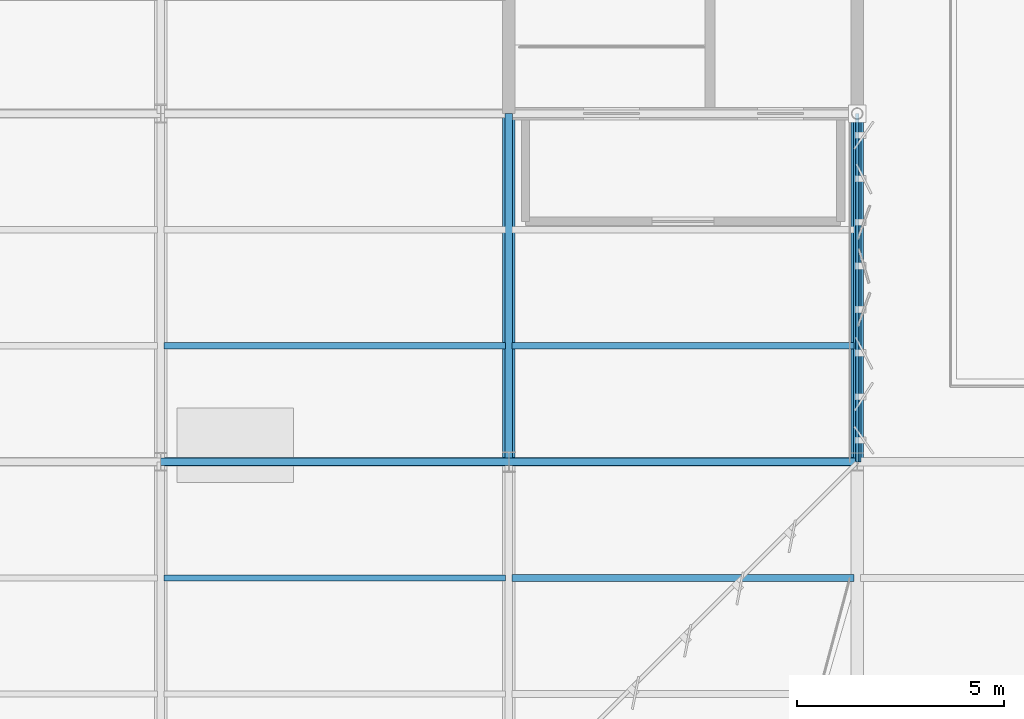
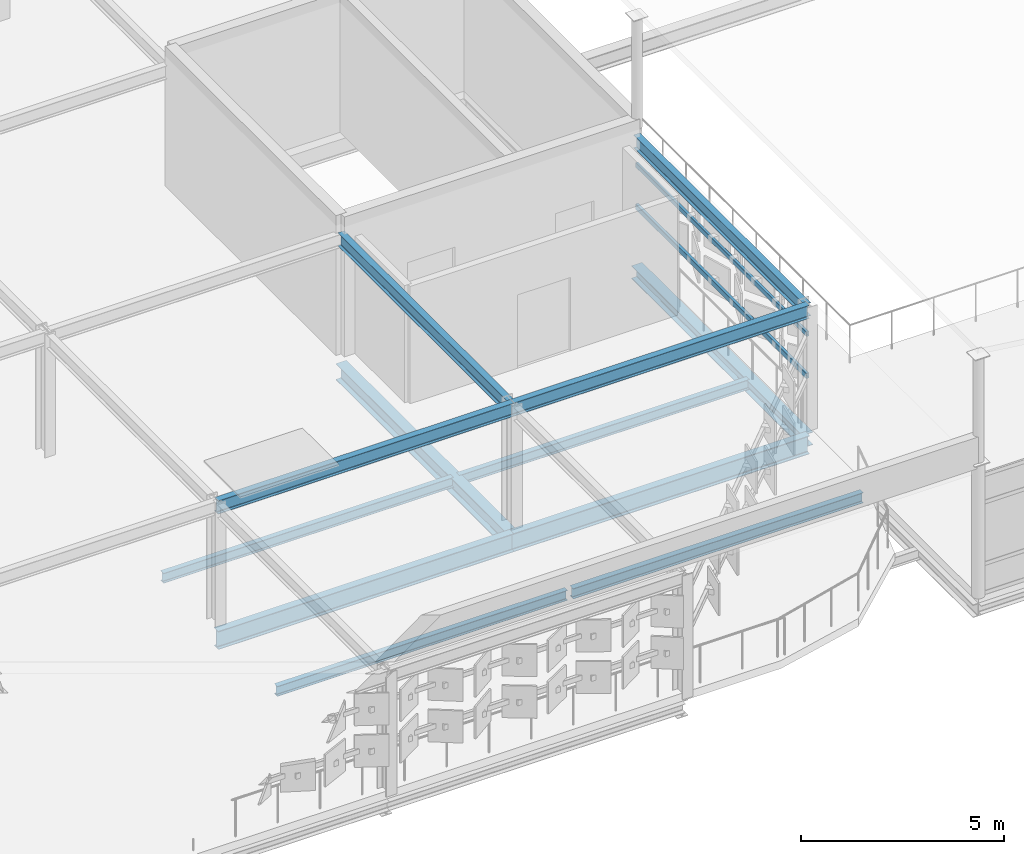
# One storey, part 35 of 65: 14 beams.
"""IFC4 building model written with IfcOpenShell, lengths in metres."""

from ifc_helpers import new_model, si_unit, direction, frame, origin, origin_2d, place, context, subcontext, project, spatial, hollow_rectangle, i_section, extrude, material, material_profile, profile_set, type_object, element, save


model = new_model("IFC4")

# Units and contexts
model_context = context("Model", 3, precision=1e-05, world=origin(), true_north=direction((0.0, 1.0)))
body_context = subcontext(model_context, "Body", "Model", "MODEL_VIEW")
ifc_project = project(units=[si_unit("LENGTHUNIT", "METRE"), si_unit("AREAUNIT", "SQUARE_METRE"), si_unit("VOLUMEUNIT", "CUBIC_METRE"), si_unit("PLANEANGLEUNIT", "RADIAN"), si_unit("MASSUNIT", "GRAM", prefix="KILO")], contexts=[model_context])

# Site, building, storey
site_placement = place(None, origin())
site = spatial("IfcSite", under=ifc_project, at=site_placement, CompositionType="ELEMENT")
building_placement = place(site_placement, origin())
building = spatial("IfcBuilding", under=site, at=building_placement, Name="Qalvenar Corner Mobility Hub", CompositionType="ELEMENT")
storey_placement = place(building_placement, frame((0.0, 0.0, 17.39990234375)))
storey = spatial("IfcBuildingStorey", under=building, at=storey_placement, Name="L04", CompositionType="ELEMENT", Elevation=17.39990234375)

# Beams
ifc_material = material(Name="Steel S355", Category="steel")
ifc_material_profile_1 = material_profile(ifc_material, i_section(OverallWidth=0.300048828125, OverallDepth=0.489990234375, WebThickness=0.011962890625, FlangeThickness=0.02294921875, FilletRadius=0.027099609375, at=origin_2d()), Name="HEA500")
ifc_profile_set_1 = profile_set([ifc_material_profile_1], Name="Steel S355")
beam_type_1 = type_object("IfcBeamType", Name="BM-HEA500", PredefinedType="BEAM", material=ifc_profile_set_1)
beam_1_placement = place(storey_placement, frame((134.39990234375, 75.60009765625, -0.48486328125), z_axis=(0.0, 1.0, 0.0), x_axis=(-1.0, 0.0, 0.0)))
element("IfcBeam", 1, at=beam_1_placement, inside=storey, type_object=beam_type_1, Name="Primary Steel Girder GY-2809", PredefinedType="BEAM", context=body_context, shape_type="SweptSolid", body=[
    extrude(i_section(OverallWidth=0.300048828125, OverallDepth=0.489990234375, WebThickness=0.011962890625, FlangeThickness=0.02294921875, FilletRadius=0.027099609375, at=origin_2d()), origin(), (0.0, 0.0, 1.0), 8.39990234375),
])
ifc_material_profile_2 = material_profile(ifc_material, i_section(OverallWidth=0.179931640625, OverallDepth=0.39990234375, WebThickness=0.008544921875, FlangeThickness=0.013427734375, FilletRadius=0.02099609375, at=origin_2d()), Name="IPE400")
ifc_profile_set_2 = profile_set([ifc_material_profile_2], Name="Steel S355")
beam_type_2 = type_object("IfcBeamType", Name="BM-IPE400", PredefinedType="BEAM", material=ifc_profile_set_2)
for number, where, z_axis, x_axis, name in (
    (2, (134.39990234375, 75.60009765625, 3.47021484375), (0.0, 1.0, 0.0), (-1.0, 0.0, 0.0), "EV Roof Girder V4RF-Y-134-75"),
    (3, (142.800048828125, 75.60009765625, 3.47021484375), (0.0, 1.0, 0.0), (-1.0, 0.0, 0.0), "EV Roof Girder V4RF-Y-142-75"),
    (4, (126.0, 75.60009765625, 3.47021484375), (1.0, 0.0, 0.0), (0.0, 1.0, 0.0), "EV Roof Girder V4RF-X-126-75"),
):
    element("IfcBeam", number, at=place(storey_placement, frame(where, z_axis=z_axis, x_axis=x_axis)), inside=storey, type_object=beam_type_2, Name=name, PredefinedType="BEAM", context=body_context, shape_type="SweptSolid", body=[
        extrude(i_section(OverallWidth=0.179931640625, OverallDepth=0.39990234375, WebThickness=0.008544921875, FlangeThickness=0.013427734375, FilletRadius=0.02099609375, at=origin_2d()), origin(), (0.0, 0.0, 1.0), 8.39990234375),
    ])
beam_2_placement = place(storey_placement, frame((134.39990234375, 75.60009765625, 3.47021484375), z_axis=(1.0, 0.0, 0.0), x_axis=(0.0, 1.0, 0.0)))
element("IfcBeam", 5, at=beam_2_placement, inside=storey, type_object=beam_type_2, Name="EV Roof Girder V4RF-X-134-75", PredefinedType="BEAM", context=body_context, shape_type="SweptSolid", body=[
    extrude(i_section(OverallWidth=0.179931640625, OverallDepth=0.39990234375, WebThickness=0.008544921875, FlangeThickness=0.013427734375, FilletRadius=0.02099609375, at=origin_2d()), origin(), (0.0, 0.0, 1.0), 8.400146484375),
])
ifc_material_profile_3 = material_profile(ifc_material, i_section(OverallWidth=0.2099609375, OverallDepth=0.550048828125, WebThickness=0.010986328125, FlangeThickness=0.01708984375, FilletRadius=0.02392578125, at=origin_2d()), Name="IPE550")
ifc_profile_set_3 = profile_set([ifc_material_profile_3], Name="Steel S355")
beam_type_3 = type_object("IfcBeamType", Name="BM-IPE550", PredefinedType="BEAM", material=ifc_profile_set_3)
beam_3_placement = place(storey_placement, frame((126.0, 75.60009765625, -0.514892578125), z_axis=(1.0, 0.0, 0.0), x_axis=(0.0, 1.0, 0.0)))
element("IfcBeam", 6, at=beam_3_placement, inside=storey, type_object=beam_type_3, Name="Primary Steel Girder GX-2735", PredefinedType="BEAM", context=body_context, shape_type="SweptSolid", body=[
    extrude(i_section(OverallWidth=0.2099609375, OverallDepth=0.550048828125, WebThickness=0.010986328125, FlangeThickness=0.01708984375, FilletRadius=0.02392578125, at=origin_2d()), origin(), (0.0, 0.0, 1.0), 8.39990234375),
])
beam_4_placement = place(storey_placement, frame((134.39990234375, 75.60009765625, -0.514892578125), z_axis=(1.0, 0.0, 0.0), x_axis=(0.0, 1.0, 0.0)))
element("IfcBeam", 7, at=beam_4_placement, inside=storey, type_object=beam_type_3, Name="Primary Steel Girder GX-2736", PredefinedType="BEAM", context=body_context, shape_type="SweptSolid", body=[
    extrude(i_section(OverallWidth=0.2099609375, OverallDepth=0.550048828125, WebThickness=0.010986328125, FlangeThickness=0.01708984375, FilletRadius=0.02392578125, at=origin_2d()), origin(), (0.0, 0.0, 1.0), 8.400146484375),
])
ifc_material_profile_4 = material_profile(ifc_material, i_section(OverallWidth=0.14990234375, OverallDepth=0.300048828125, WebThickness=0.007080078125, FlangeThickness=0.0107421875, FilletRadius=0.014892578125, at=origin_2d()), Name="IPE300")
ifc_profile_set_4 = profile_set([ifc_material_profile_4], Name="Steel S355")
beam_type_4 = type_object("IfcBeamType", Name="BM-JST300", PredefinedType="JOIST", material=ifc_profile_set_4)
for number, where, z_axis, x_axis, name in (
    (8, (126.077880859375, 72.800048828125, -0.389892578125), (1.0, 0.0, 0.0), (0.0, 1.0, 0.0), "Composite Floor Joist J-2875"),
    (9, (126.077880859375, 78.39990234375, -0.389892578125), (1.0, 0.0, 0.0), (0.0, 1.0, 0.0), "Composite Floor Joist J-2876"),
):
    element("IfcBeam", number, at=place(storey_placement, frame(where, z_axis=z_axis, x_axis=x_axis)), inside=storey, type_object=beam_type_4, Name=name, PredefinedType="JOIST", context=body_context, shape_type="SweptSolid", body=[
        extrude(i_section(OverallWidth=0.14990234375, OverallDepth=0.300048828125, WebThickness=0.007080078125, FlangeThickness=0.0107421875, FilletRadius=0.014892578125, at=origin_2d()), origin(), (0.0, 0.0, 1.0), 8.244140625),
    ])
beam_5_placement = place(storey_placement, frame((134.47802734375, 78.39990234375, -0.389892578125), z_axis=(1.0, 0.0, 0.0), x_axis=(0.0, 1.0, 0.0)))
element("IfcBeam", 10, at=beam_5_placement, inside=storey, type_object=beam_type_4, Name="Composite Floor Joist J-2884", PredefinedType="JOIST", context=body_context, shape_type="SweptSolid", body=[
    extrude(i_section(OverallWidth=0.14990234375, OverallDepth=0.300048828125, WebThickness=0.007080078125, FlangeThickness=0.0107421875, FilletRadius=0.014892578125, at=origin_2d()), origin(), (0.0, 0.0, 1.0), 8.243896484375),
])
ifc_material_profile_5 = material_profile(ifc_material, i_section(OverallWidth=0.1650390625, OverallDepth=0.31005859375, WebThickness=0.005859375, FlangeThickness=0.009765625, FilletRadius=0.011962890625, at=origin_2d()), Name="W310x38.7")
ifc_profile_set_5 = profile_set([ifc_material_profile_5], Name="Steel S355")
beam_type_5 = type_object("IfcBeamType", Name="BM-JST310", PredefinedType="JOIST", material=ifc_profile_set_5)
beam_6_placement = place(storey_placement, frame((134.47802734375, 72.800048828125, -0.39501953125), z_axis=(1.0, 0.0, 0.0), x_axis=(0.0, 1.0, 0.0)))
element("IfcBeam", 11, at=beam_6_placement, inside=storey, type_object=beam_type_5, Name="Composite Floor Joist J-2922", PredefinedType="JOIST", context=body_context, shape_type="SweptSolid", body=[
    extrude(i_section(OverallWidth=0.1650390625, OverallDepth=0.31005859375, WebThickness=0.005859375, FlangeThickness=0.009765625, FilletRadius=0.011962890625, at=origin_2d()), origin(), (0.0, 0.0, 1.0), 8.243896484375),
])
ifc_material_profile_6 = material_profile(ifc_material, i_section(OverallWidth=0.300048828125, OverallDepth=0.389892578125, WebThickness=0.010986328125, FlangeThickness=0.01904296875, FilletRadius=0.027099609375, at=origin_2d()), Name="HEA400")
ifc_profile_set_6 = profile_set([ifc_material_profile_6], Name="Steel S355")
beam_type_6 = type_object("IfcBeamType", Name="BM-SPN400", PredefinedType="SPANDREL", material=ifc_profile_set_6)
beam_7_placement = place(storey_placement, frame((142.800048828125, 75.60009765625, -0.434814453125), z_axis=(0.0, 1.0, 0.0), x_axis=(-1.0, 0.0, 0.0)))
element("IfcBeam", 12, at=beam_7_placement, inside=storey, type_object=beam_type_6, Name="Primary Steel Girder GY-2813", PredefinedType="SPANDREL", context=body_context, shape_type="SweptSolid", body=[
    extrude(i_section(OverallWidth=0.300048828125, OverallDepth=0.389892578125, WebThickness=0.010986328125, FlangeThickness=0.01904296875, FilletRadius=0.027099609375, at=origin_2d()), origin(), (0.0, 0.0, 1.0), 8.39990234375),
])
ifc_material_profile_7 = material_profile(ifc_material, hollow_rectangle(XDim=0.080078125, YDim=0.139892578125, WallThickness=0.0048828125, InnerFilletRadius=0.0048828125, OuterFilletRadius=0.010009765625, at=origin_2d()), Name="RHS140x80x5")
ifc_profile_set_7 = profile_set([ifc_material_profile_7], Name="Steel S355")
beam_type_7 = type_object("IfcBeamType", Name="FR-RAIL140", PredefinedType="SPANDREL", material=ifc_profile_set_7)
beam_8_placement = place(storey_placement, frame((142.800048828125, 75.60009765625, 2.75), z_axis=(0.0, 1.0, 0.0), x_axis=(-1.0, 0.0, 0.0)))
element("IfcBeam", 13, at=beam_8_placement, inside=storey, type_object=beam_type_7, Name="Facade Hinge Support Rail FR-L04-0180", PredefinedType="SPANDREL", context=body_context, shape_type="SweptSolid", body=[
    extrude(hollow_rectangle(XDim=0.080078125, YDim=0.139892578125, WallThickness=0.0048828125, InnerFilletRadius=0.0048828125, OuterFilletRadius=0.010009765625, at=origin_2d()), origin(), (0.0, 0.0, 1.0), 8.39990234375),
])
ifc_material_profile_8 = material_profile(ifc_material, hollow_rectangle(XDim=0.090087890625, YDim=0.159912109375, WallThickness=0.00634765625, InnerFilletRadius=0.00634765625, OuterFilletRadius=0.0126953125, at=origin_2d()), Name="RHS160x90x6.3")
ifc_profile_set_8 = profile_set([ifc_material_profile_8], Name="Steel S355")
beam_type_8 = type_object("IfcBeamType", Name="FR-RAIL160", PredefinedType="SPANDREL", material=ifc_profile_set_8)
beam_9_placement = place(storey_placement, frame((142.800048828125, 75.60009765625, 1.5), z_axis=(0.0, 1.0, 0.0), x_axis=(-1.0, 0.0, 0.0)))
element("IfcBeam", 14, at=beam_9_placement, inside=storey, type_object=beam_type_8, Name="Facade Hinge Support Rail FR-L04-0179", PredefinedType="SPANDREL", context=body_context, shape_type="SweptSolid", body=[
    extrude(hollow_rectangle(XDim=0.090087890625, YDim=0.159912109375, WallThickness=0.00634765625, InnerFilletRadius=0.00634765625, OuterFilletRadius=0.0126953125, at=origin_2d()), origin(), (0.0, 0.0, 1.0), 8.39990234375),
])

save(model, "model.ifc")
